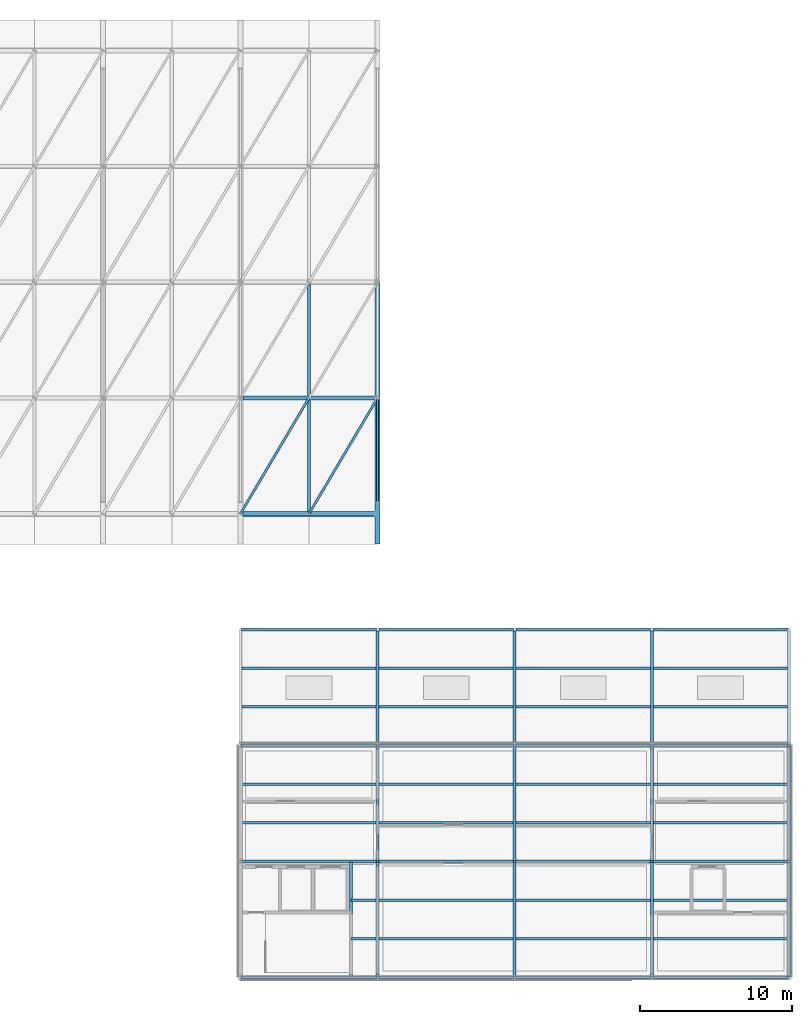
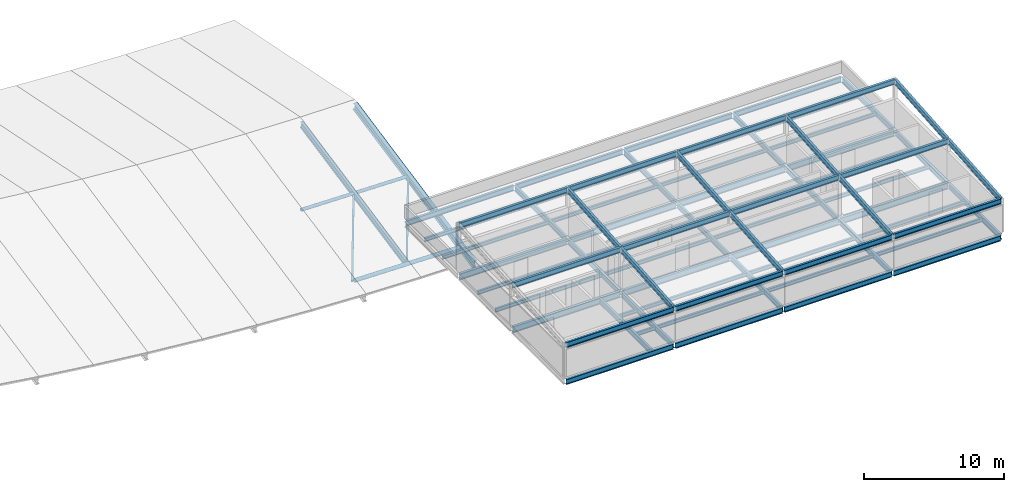
# One storey, part 12 of 21: 77 beams, 3 members.
"""IFC4 building model written with IfcOpenShell, lengths in metres."""

from ifc_helpers import new_model, si_unit, direction, frame, origin, origin_2d, place, context, subcontext, project, spatial, hollow_rectangle, hollow_circle, i_section, extrude, material, material_profile, profile_set, type_object, element, save


model = new_model("IFC4")

# Units and contexts
model_context = context("Model", 3, precision=1e-05, world=origin(), true_north=direction((0.0, 1.0)))
body_context = subcontext(model_context, "Body", "Model", "MODEL_VIEW")
ifc_project = project(units=[si_unit("LENGTHUNIT", "METRE"), si_unit("AREAUNIT", "SQUARE_METRE"), si_unit("VOLUMEUNIT", "CUBIC_METRE"), si_unit("PLANEANGLEUNIT", "RADIAN"), si_unit("MASSUNIT", "GRAM", prefix="KILO")], contexts=[model_context])

# Site, building, storey
site_placement = place(None, origin())
site = spatial("IfcSite", under=ifc_project, at=site_placement, CompositionType="ELEMENT")
building_placement = place(site_placement, origin())
building = spatial("IfcBuilding", under=site, at=building_placement, Name="Caisbarro Railhouse Central Library", CompositionType="ELEMENT")
storey_placement = place(building_placement, frame((0.0, 0.0, 26.639892578125)))
storey = spatial("IfcBuildingStorey", under=building, at=storey_placement, Name="RF", CompositionType="ELEMENT", Elevation=26.639892578125)

# Beams
ifc_material = material(Name="Steel ASTM A572 Grade 50", Category="steel")
ifc_material_profile_1 = material_profile(ifc_material, i_section(OverallWidth=0.324951171875, OverallDepth=0.615966796875, WebThickness=0.013916015625, FlangeThickness=0.021484375, FilletRadius=0.02197265625, at=origin_2d()), Name="W610X174.0")
ifc_profile_set_1 = profile_set([ifc_material_profile_1], Name="Steel ASTM A572 Grade 50")
beam_type_1 = type_object("IfcBeamType", Name="BM-G02", PredefinedType="BEAM", material=ifc_profile_set_1)
beam_1_placement = place(storey_placement, frame((72.0, 28.5, -10.697509765625), z_axis=(0.0, 0.979829500955, 0.199835304833), x_axis=(-1.0, 0.0, 0.0)))
element("IfcBeam", 1, at=beam_1_placement, inside=storey, type_object=beam_type_1, Name="V1 Gridshell South Rafter X=72", PredefinedType="BEAM", context=body_context, shape_type="SweptSolid", body=[
    extrude(i_section(OverallWidth=0.324951171875, OverallDepth=0.615966796875, WebThickness=0.013916015625, FlangeThickness=0.021484375, FilletRadius=0.02197265625, at=origin_2d()), origin(), (0.0, 0.0, 1.0), 17.4521484375),
])
ifc_material_profile_2 = material_profile(ifc_material, i_section(OverallWidth=0.2119140625, OverallDepth=0.5439453125, WebThickness=0.01318359375, FlangeThickness=0.021240234375, FilletRadius=0.02001953125, at=origin_2d()), Name="W530X123.0")
ifc_profile_set_2 = profile_set([ifc_material_profile_2], Name="Steel ASTM A572 Grade 50")
beam_type_2 = type_object("IfcBeamType", Name="BM-G05", PredefinedType="BEAM", material=ifc_profile_set_2)
for number, where, z_axis, x_axis, name in (
    (2, (63.080078125, 7.60009765625, -0.552001953125), (1.0, 0.0, 0.0), (0.0, 1.0, 0.0), "G05 beam RF #2438"),
    (3, (72.080078125, 7.60009765625, -0.552001953125), (1.0, 0.0, 0.0), (0.0, 1.0, 0.0), "G05 beam RF #2439"),
    (4, (81.080078125, 7.60009765625, -0.552001953125), (1.0, 0.0, 0.0), (0.0, 1.0, 0.0), "G05 beam RF #2440"),
    (5, (90.080078125, 7.60009765625, -0.552001953125), (1.0, 0.0, 0.0), (0.0, 1.0, 0.0), "G05 beam RF #2441"),
    (6, (63.080078125, 15.199951171875, -0.552001953125), (1.0, 0.0, 0.0), (0.0, 1.0, 0.0), "G05 beam RF #2442"),
    (7, (72.080078125, 15.199951171875, -0.552001953125), (1.0, 0.0, 0.0), (0.0, 1.0, 0.0), "G05 beam RF #2443"),
    (8, (81.080078125, 15.199951171875, -0.552001953125), (1.0, 0.0, 0.0), (0.0, 1.0, 0.0), "G05 beam RF #2444"),
    (9, (90.080078125, 15.199951171875, -0.552001953125), (1.0, 0.0, 0.0), (0.0, 1.0, 0.0), "G05 beam RF #2445"),
):
    element("IfcBeam", number, at=place(storey_placement, frame(where, z_axis=z_axis, x_axis=x_axis)), inside=storey, type_object=beam_type_2, Name=name, PredefinedType="BEAM", context=body_context, shape_type="SweptSolid", body=[
        extrude(i_section(OverallWidth=0.2119140625, OverallDepth=0.5439453125, WebThickness=0.01318359375, FlangeThickness=0.021240234375, FilletRadius=0.02001953125, at=origin_2d()), origin(), (0.0, 0.0, 1.0), 8.83984375),
    ])
ifc_material_profile_3 = material_profile(ifc_material, i_section(OverallWidth=0.208984375, OverallDepth=0.532958984375, WebThickness=0.01025390625, FlangeThickness=0.015625, FilletRadius=0.02001953125, at=origin_2d()), Name="W530X92.0")
ifc_profile_set_3 = profile_set([ifc_material_profile_3], Name="Steel ASTM A572 Grade 50")
beam_type_3 = type_object("IfcBeamType", Name="BM-G06", PredefinedType="BEAM", material=ifc_profile_set_3)
beam_2_placement = place(storey_placement, frame((67.5, 30.56494140625, -10.201171875), z_axis=(0.0, 0.979832431979, 0.19982093294), x_axis=(-1.0, 0.0, 0.0)))
element("IfcBeam", 10, at=beam_2_placement, inside=storey, type_object=beam_type_3, Name="V1 Gridshell Secondary Rafter South 8", PredefinedType="BEAM", context=body_context, shape_type="SweptSolid", body=[
    extrude(i_section(OverallWidth=0.208984375, OverallDepth=0.532958984375, WebThickness=0.01025390625, FlangeThickness=0.015625, FilletRadius=0.02001953125, at=origin_2d()), origin(), (0.0, 0.0, 1.0), 15.20166015625),
])
ifc_material_profile_4 = material_profile(ifc_material, i_section(OverallWidth=0.194091796875, OverallDepth=0.468994140625, WebThickness=0.0126953125, FlangeThickness=0.0205078125, FilletRadius=0.01806640625, at=origin_2d()), Name="W460X106.0")
ifc_profile_set_4 = profile_set([ifc_material_profile_4], Name="Steel ASTM A572 Grade 50")
beam_type_4 = type_object("IfcBeamType", Name="BM-G07", PredefinedType="BEAM", material=ifc_profile_set_4)
beam_3_placement = place(storey_placement, frame((72.0, 0.080078125, -0.514404296875), z_axis=(0.0, 1.0, 0.0), x_axis=(-1.0, 0.0, 0.0)))
element("IfcBeam", 11, at=beam_3_placement, inside=storey, type_object=beam_type_4, Name="G07 beam RF #2453", PredefinedType="BEAM", context=body_context, shape_type="SweptSolid", body=[
    extrude(i_section(OverallWidth=0.194091796875, OverallDepth=0.468994140625, WebThickness=0.0126953125, FlangeThickness=0.0205078125, FilletRadius=0.01806640625, at=origin_2d()), origin(), (0.0, 0.0, 1.0), 7.43994140625),
])
beam_4_placement = place(storey_placement, frame((72.0, 7.679931640625, -0.514404296875), z_axis=(0.0, 1.0, 0.0), x_axis=(-1.0, 0.0, 0.0)))
element("IfcBeam", 12, at=beam_4_placement, inside=storey, type_object=beam_type_4, Name="G07 beam RF #2454", PredefinedType="BEAM", context=body_context, shape_type="SweptSolid", body=[
    extrude(i_section(OverallWidth=0.194091796875, OverallDepth=0.468994140625, WebThickness=0.0126953125, FlangeThickness=0.0205078125, FilletRadius=0.01806640625, at=origin_2d()), origin(), (0.0, 0.0, 1.0), 7.440185546875),
])
for number, where, z_axis, x_axis, name in (
    (13, (72.0, 15.280029296875, -0.514404296875), (0.0, 1.0, 0.0), (-1.0, 0.0, 0.0), "G07 beam RF #2455"),
    (14, (81.0, 0.080078125, -0.514404296875), (0.0, 1.0, 0.0), (-1.0, 0.0, 0.0), "G07 beam RF #2456"),
):
    element("IfcBeam", number, at=place(storey_placement, frame(where, z_axis=z_axis, x_axis=x_axis)), inside=storey, type_object=beam_type_4, Name=name, PredefinedType="BEAM", context=body_context, shape_type="SweptSolid", body=[
        extrude(i_section(OverallWidth=0.194091796875, OverallDepth=0.468994140625, WebThickness=0.0126953125, FlangeThickness=0.0205078125, FilletRadius=0.01806640625, at=origin_2d()), origin(), (0.0, 0.0, 1.0), 7.43994140625),
    ])
beam_5_placement = place(storey_placement, frame((81.0, 7.679931640625, -0.514404296875), z_axis=(0.0, 1.0, 0.0), x_axis=(-1.0, 0.0, 0.0)))
element("IfcBeam", 15, at=beam_5_placement, inside=storey, type_object=beam_type_4, Name="G07 beam RF #2457", PredefinedType="BEAM", context=body_context, shape_type="SweptSolid", body=[
    extrude(i_section(OverallWidth=0.194091796875, OverallDepth=0.468994140625, WebThickness=0.0126953125, FlangeThickness=0.0205078125, FilletRadius=0.01806640625, at=origin_2d()), origin(), (0.0, 0.0, 1.0), 7.440185546875),
])
for number, where, z_axis, x_axis, name in (
    (16, (81.0, 15.280029296875, -0.514404296875), (0.0, 1.0, 0.0), (-1.0, 0.0, 0.0), "G07 beam RF #2458"),
    (17, (90.0, 0.080078125, -0.514404296875), (0.0, 1.0, 0.0), (-1.0, 0.0, 0.0), "G07 beam RF #2459"),
):
    element("IfcBeam", number, at=place(storey_placement, frame(where, z_axis=z_axis, x_axis=x_axis)), inside=storey, type_object=beam_type_4, Name=name, PredefinedType="BEAM", context=body_context, shape_type="SweptSolid", body=[
        extrude(i_section(OverallWidth=0.194091796875, OverallDepth=0.468994140625, WebThickness=0.0126953125, FlangeThickness=0.0205078125, FilletRadius=0.01806640625, at=origin_2d()), origin(), (0.0, 0.0, 1.0), 7.43994140625),
    ])
beam_6_placement = place(storey_placement, frame((90.0, 7.679931640625, -0.514404296875), z_axis=(0.0, 1.0, 0.0), x_axis=(-1.0, 0.0, 0.0)))
element("IfcBeam", 18, at=beam_6_placement, inside=storey, type_object=beam_type_4, Name="G07 beam RF #2460", PredefinedType="BEAM", context=body_context, shape_type="SweptSolid", body=[
    extrude(i_section(OverallWidth=0.194091796875, OverallDepth=0.468994140625, WebThickness=0.0126953125, FlangeThickness=0.0205078125, FilletRadius=0.01806640625, at=origin_2d()), origin(), (0.0, 0.0, 1.0), 7.440185546875),
])
for number, where, z_axis, x_axis, name in (
    (19, (90.0, 15.280029296875, -0.514404296875), (0.0, 1.0, 0.0), (-1.0, 0.0, 0.0), "G07 beam RF #2461"),
    (20, (99.0, 0.080078125, -0.514404296875), (0.0, 1.0, 0.0), (-1.0, 0.0, 0.0), "G07 beam RF #2462"),
):
    element("IfcBeam", number, at=place(storey_placement, frame(where, z_axis=z_axis, x_axis=x_axis)), inside=storey, type_object=beam_type_4, Name=name, PredefinedType="BEAM", context=body_context, shape_type="SweptSolid", body=[
        extrude(i_section(OverallWidth=0.194091796875, OverallDepth=0.468994140625, WebThickness=0.0126953125, FlangeThickness=0.0205078125, FilletRadius=0.01806640625, at=origin_2d()), origin(), (0.0, 0.0, 1.0), 7.43994140625),
    ])
beam_7_placement = place(storey_placement, frame((99.0, 7.679931640625, -0.514404296875), z_axis=(0.0, 1.0, 0.0), x_axis=(-1.0, 0.0, 0.0)))
element("IfcBeam", 21, at=beam_7_placement, inside=storey, type_object=beam_type_4, Name="G07 beam RF #2463", PredefinedType="BEAM", context=body_context, shape_type="SweptSolid", body=[
    extrude(i_section(OverallWidth=0.194091796875, OverallDepth=0.468994140625, WebThickness=0.0126953125, FlangeThickness=0.0205078125, FilletRadius=0.01806640625, at=origin_2d()), origin(), (0.0, 0.0, 1.0), 7.440185546875),
])
beam_8_placement = place(storey_placement, frame((99.0, 15.280029296875, -0.514404296875), z_axis=(0.0, 1.0, 0.0), x_axis=(-1.0, 0.0, 0.0)))
element("IfcBeam", 22, at=beam_8_placement, inside=storey, type_object=beam_type_4, Name="G07 beam RF #2464", PredefinedType="BEAM", context=body_context, shape_type="SweptSolid", body=[
    extrude(i_section(OverallWidth=0.194091796875, OverallDepth=0.468994140625, WebThickness=0.0126953125, FlangeThickness=0.0205078125, FilletRadius=0.01806640625, at=origin_2d()), origin(), (0.0, 0.0, 1.0), 7.43994140625),
])
beam_9_placement = place(storey_placement, frame((70.25, 0.050048828125, -0.514404296875), z_axis=(0.0, 1.0, 0.0), x_axis=(-1.0, 0.0, 0.0)))
element("IfcBeam", 23, at=beam_9_placement, inside=storey, type_object=beam_type_4, Name="G07 RF stairwell trimmer beam", PredefinedType="BEAM", context=body_context, shape_type="SweptSolid", body=[
    extrude(i_section(OverallWidth=0.194091796875, OverallDepth=0.468994140625, WebThickness=0.0126953125, FlangeThickness=0.0205078125, FilletRadius=0.01806640625, at=origin_2d()), origin(), (0.0, 0.0, 1.0), 7.5),
])
for number, where, z_axis, x_axis, name in (
    (24, (72.0, 0.050048828125, 2.70556640625), (0.0, 0.996814246708, 0.079758119089), (-1.0, 0.0, 0.0), "G07 headhouse sloped roof rafter X=72.1"),
    (25, (72.0, 7.64990234375, 3.3056640625), (0.0, 0.99681682597, 0.079725876999), (-1.0, 0.0, 0.0), "G07 headhouse sloped roof rafter X=72.2"),
    (26, (81.0, 0.050048828125, 2.70556640625), (0.0, 0.996814246708, 0.079758119089), (-1.0, 0.0, 0.0), "G07 headhouse sloped roof rafter X=81.1"),
    (27, (81.0, 7.64990234375, 3.3056640625), (0.0, 0.99681682597, 0.079725876999), (-1.0, 0.0, 0.0), "G07 headhouse sloped roof rafter X=81.2"),
    (28, (90.0, 0.050048828125, 2.70556640625), (0.0, 0.996814246708, 0.079758119089), (-1.0, 0.0, 0.0), "G07 headhouse sloped roof rafter X=90.1"),
    (29, (90.0, 7.64990234375, 3.3056640625), (0.0, 0.99681682597, 0.079725876999), (-1.0, 0.0, 0.0), "G07 headhouse sloped roof rafter X=90.2"),
    (30, (99.0, 0.050048828125, 2.70556640625), (0.0, 0.996814246708, 0.079758119089), (-1.0, 0.0, 0.0), "G07 headhouse sloped roof rafter X=99.1"),
    (31, (99.0, 7.64990234375, 3.3056640625), (0.0, 0.99681682597, 0.079725876999), (-1.0, 0.0, 0.0), "G07 headhouse sloped roof rafter X=99.2"),
):
    element("IfcBeam", number, at=place(storey_placement, frame(where, z_axis=z_axis, x_axis=x_axis)), inside=storey, type_object=beam_type_4, Name=name, PredefinedType="BEAM", context=body_context, shape_type="SweptSolid", body=[
        extrude(i_section(OverallWidth=0.194091796875, OverallDepth=0.468994140625, WebThickness=0.0126953125, FlangeThickness=0.0205078125, FilletRadius=0.01806640625, at=origin_2d()), origin(), (0.0, 0.0, 1.0), 7.52392578125),
    ])
ifc_material_profile_5 = material_profile(ifc_material, i_section(OverallWidth=0.1669921875, OverallDepth=0.31689453125, WebThickness=0.007568359375, FlangeThickness=0.01318359375, FilletRadius=0.011962890625, at=origin_2d()), Name="W310X52.0")
ifc_profile_set_5 = profile_set([ifc_material_profile_5], Name="Steel ASTM A572 Grade 50")
beam_type_5 = type_object("IfcBeamType", Name="BM-J02", PredefinedType="JOIST", material=ifc_profile_set_5)
for number, where, z_axis, x_axis, name in (
    (32, (70.25, 2.533203125, -0.4384765625), (1.0, 0.0, 0.0), (0.0, 1.0, 0.0), "J02 beam RF #2465"),
    (33, (70.25, 5.066650390625, -0.4384765625), (1.0, 0.0, 0.0), (0.0, 1.0, 0.0), "J02 beam RF #2466"),
):
    element("IfcBeam", number, at=place(storey_placement, frame(where, z_axis=z_axis, x_axis=x_axis)), inside=storey, type_object=beam_type_5, Name=name, PredefinedType="JOIST", context=body_context, shape_type="SweptSolid", body=[
        extrude(i_section(OverallWidth=0.1669921875, OverallDepth=0.31689453125, WebThickness=0.007568359375, FlangeThickness=0.01318359375, FilletRadius=0.011962890625, at=origin_2d()), origin(), (0.0, 0.0, 1.0), 1.653076171875),
    ])
for number, where, z_axis, x_axis, name in (
    (34, (63.096923828125, 10.13330078125, -0.4384765625), (1.0, 0.0, 0.0), (0.0, 1.0, 0.0), "J02 beam RF #2467"),
    (35, (63.096923828125, 12.666748046875, -0.4384765625), (1.0, 0.0, 0.0), (0.0, 1.0, 0.0), "J02 beam RF #2468"),
    (36, (63.096923828125, 17.7333984375, -0.4384765625), (1.0, 0.0, 0.0), (0.0, 1.0, 0.0), "J02 beam RF #2469"),
    (37, (63.096923828125, 20.2666015625, -0.4384765625), (1.0, 0.0, 0.0), (0.0, 1.0, 0.0), "J02 beam RF #2470"),
    (38, (72.096923828125, 2.533203125, -0.4384765625), (1.0, 0.0, 0.0), (0.0, 1.0, 0.0), "J02 beam RF #2471"),
    (39, (72.096923828125, 5.066650390625, -0.4384765625), (1.0, 0.0, 0.0), (0.0, 1.0, 0.0), "J02 beam RF #2472"),
    (40, (72.096923828125, 10.13330078125, -0.4384765625), (1.0, 0.0, 0.0), (0.0, 1.0, 0.0), "J02 beam RF #2473"),
    (41, (72.096923828125, 12.666748046875, -0.4384765625), (1.0, 0.0, 0.0), (0.0, 1.0, 0.0), "J02 beam RF #2474"),
    (42, (72.096923828125, 17.7333984375, -0.4384765625), (1.0, 0.0, 0.0), (0.0, 1.0, 0.0), "J02 beam RF #2475"),
    (43, (72.096923828125, 20.2666015625, -0.4384765625), (1.0, 0.0, 0.0), (0.0, 1.0, 0.0), "J02 beam RF #2476"),
    (44, (81.096923828125, 2.533203125, -0.4384765625), (1.0, 0.0, 0.0), (0.0, 1.0, 0.0), "J02 beam RF #2477"),
    (45, (81.096923828125, 5.066650390625, -0.4384765625), (1.0, 0.0, 0.0), (0.0, 1.0, 0.0), "J02 beam RF #2478"),
    (46, (81.096923828125, 10.13330078125, -0.4384765625), (1.0, 0.0, 0.0), (0.0, 1.0, 0.0), "J02 beam RF #2479"),
    (47, (81.096923828125, 12.666748046875, -0.4384765625), (1.0, 0.0, 0.0), (0.0, 1.0, 0.0), "J02 beam RF #2480"),
    (48, (81.096923828125, 17.7333984375, -0.4384765625), (1.0, 0.0, 0.0), (0.0, 1.0, 0.0), "J02 beam RF #2481"),
    (49, (81.096923828125, 20.2666015625, -0.4384765625), (1.0, 0.0, 0.0), (0.0, 1.0, 0.0), "J02 beam RF #2482"),
    (50, (90.096923828125, 2.533203125, -0.4384765625), (1.0, 0.0, 0.0), (0.0, 1.0, 0.0), "J02 beam RF #2483"),
    (51, (90.096923828125, 5.066650390625, -0.4384765625), (1.0, 0.0, 0.0), (0.0, 1.0, 0.0), "J02 beam RF #2484"),
    (52, (90.096923828125, 10.13330078125, -0.4384765625), (1.0, 0.0, 0.0), (0.0, 1.0, 0.0), "J02 beam RF #2485"),
    (53, (90.096923828125, 12.666748046875, -0.4384765625), (1.0, 0.0, 0.0), (0.0, 1.0, 0.0), "J02 beam RF #2486"),
    (54, (90.096923828125, 17.7333984375, -0.4384765625), (1.0, 0.0, 0.0), (0.0, 1.0, 0.0), "J02 beam RF #2487"),
    (55, (90.096923828125, 20.2666015625, -0.4384765625), (1.0, 0.0, 0.0), (0.0, 1.0, 0.0), "J02 beam RF #2488"),
):
    element("IfcBeam", number, at=place(storey_placement, frame(where, z_axis=z_axis, x_axis=x_axis)), inside=storey, type_object=beam_type_5, Name=name, PredefinedType="JOIST", context=body_context, shape_type="SweptSolid", body=[
        extrude(i_section(OverallWidth=0.1669921875, OverallDepth=0.31689453125, WebThickness=0.007568359375, FlangeThickness=0.01318359375, FilletRadius=0.011962890625, at=origin_2d()), origin(), (0.0, 0.0, 1.0), 8.80615234375),
    ])
ifc_material_profile_6 = material_profile(ifc_material, hollow_circle(Radius=0.161865234375, WallThickness=0.01611328125, at=origin_2d()), Name="CHS323.9X16.0")
ifc_profile_set_6 = profile_set([ifc_material_profile_6], Name="Steel ASTM A572 Grade 50")
beam_type_6 = type_object("IfcBeamType", Name="BM-RB01", PredefinedType="BEAM", material=ifc_profile_set_6)
beam_10_placement = place(storey_placement, frame((63.1650390625, 30.39990234375, -10.16259765625), z_axis=(0.999861077482, 0.0, -0.016668105369), x_axis=(0.0, 1.0, 0.0)))
element("IfcBeam", 56, at=beam_10_placement, inside=storey, type_object=beam_type_6, Name="V1 Gridshell Longitudinal Chord S08", PredefinedType="BEAM", context=body_context, shape_type="SweptSolid", body=[
    extrude(hollow_circle(Radius=0.161865234375, WallThickness=0.01611328125, at=origin_2d()), origin(), (0.0, 0.0, 1.0), 8.671142578125),
])
ifc_material_profile_7 = material_profile(ifc_material, hollow_circle(Radius=0.136474609375, WallThickness=0.012451171875, at=origin_2d()), Name="CHS273.0X12.5")
ifc_profile_set_7 = profile_set([ifc_material_profile_7], Name="Steel ASTM A572 Grade 50")
beam_type_7 = type_object("IfcBeamType", Name="BM-RB02", PredefinedType="BEAM", material=ifc_profile_set_7)
beam_11_placement = place(storey_placement, frame((63.1650390625, 38.0, -8.612548828125), z_axis=(0.999861077482, 0.0, -0.016668105369), x_axis=(0.0, 1.0, 0.0)))
element("IfcBeam", 57, at=beam_11_placement, inside=storey, type_object=beam_type_7, Name="V1 Gridshell Longitudinal Chord Q108", PredefinedType="BEAM", context=body_context, shape_type="SweptSolid", body=[
    extrude(hollow_circle(Radius=0.136474609375, WallThickness=0.012451171875, at=origin_2d()), origin(), (0.0, 0.0, 1.0), 8.671142578125),
])
ifc_material_profile_8 = material_profile(ifc_material, i_section(OverallWidth=0.18994140625, OverallDepth=0.45703125, WebThickness=0.009033203125, FlangeThickness=0.014404296875, FilletRadius=0.01806640625, at=origin_2d()), Name="W460X74.0")
ifc_profile_set_8 = profile_set([ifc_material_profile_8], Name="Steel ASTM A572 Grade 50")
beam_type_8 = type_object("IfcBeamType", Name="BM-SP01", PredefinedType="SPANDREL", material=ifc_profile_set_8)
for number, where, z_axis, x_axis, name in (
    (58, (63.080078125, 0.0, -0.50830078125), (1.0, 0.0, 0.0), (0.0, 1.0, 0.0), "SP01 beam RF #2434"),
    (59, (72.080078125, 0.0, -0.50830078125), (1.0, 0.0, 0.0), (0.0, 1.0, 0.0), "SP01 beam RF #2435"),
    (60, (81.080078125, 0.0, -0.50830078125), (1.0, 0.0, 0.0), (0.0, 1.0, 0.0), "SP01 beam RF #2436"),
    (61, (90.080078125, 0.0, -0.50830078125), (1.0, 0.0, 0.0), (0.0, 1.0, 0.0), "SP01 beam RF #2437"),
    (62, (63.080078125, 22.800048828125, -0.50830078125), (1.0, 0.0, 0.0), (0.0, 1.0, 0.0), "SP01 beam RF #2446"),
    (63, (72.080078125, 22.800048828125, -0.50830078125), (1.0, 0.0, 0.0), (0.0, 1.0, 0.0), "SP01 beam RF #2447"),
    (64, (81.080078125, 22.800048828125, -0.50830078125), (1.0, 0.0, 0.0), (0.0, 1.0, 0.0), "SP01 beam RF #2448"),
    (65, (90.080078125, 22.800048828125, -0.50830078125), (1.0, 0.0, 0.0), (0.0, 1.0, 0.0), "SP01 beam RF #2449"),
):
    element("IfcBeam", number, at=place(storey_placement, frame(where, z_axis=z_axis, x_axis=x_axis)), inside=storey, type_object=beam_type_8, Name=name, PredefinedType="SPANDREL", context=body_context, shape_type="SweptSolid", body=[
        extrude(i_section(OverallWidth=0.18994140625, OverallDepth=0.45703125, WebThickness=0.009033203125, FlangeThickness=0.014404296875, FilletRadius=0.01806640625, at=origin_2d()), origin(), (0.0, 0.0, 1.0), 8.83984375),
    ])
for number, where, z_axis, x_axis, name in (
    (66, (63.050048828125, 0.0, 2.711669921875), (1.0, 0.0, 0.0), (0.0, 1.0, 0.0), "SP01 headhouse roof beam Y=0.1"),
    (67, (72.050048828125, 0.0, 2.711669921875), (1.0, 0.0, 0.0), (0.0, 1.0, 0.0), "SP01 headhouse roof beam Y=0.2"),
    (68, (81.050048828125, 0.0, 2.711669921875), (1.0, 0.0, 0.0), (0.0, 1.0, 0.0), "SP01 headhouse roof beam Y=0.3"),
    (69, (90.050048828125, 0.0, 2.711669921875), (1.0, 0.0, 0.0), (0.0, 1.0, 0.0), "SP01 headhouse roof beam Y=0.4"),
    (70, (63.050048828125, 7.60009765625, 3.3115234375), (1.0, 0.0, 0.0), (0.0, 1.0, 0.0), "SP01 headhouse roof beam Y=7.6.1"),
    (71, (72.050048828125, 7.60009765625, 3.3115234375), (1.0, 0.0, 0.0), (0.0, 1.0, 0.0), "SP01 headhouse roof beam Y=7.6.2"),
    (72, (81.050048828125, 7.60009765625, 3.3115234375), (1.0, 0.0, 0.0), (0.0, 1.0, 0.0), "SP01 headhouse roof beam Y=7.6.3"),
    (73, (90.050048828125, 7.60009765625, 3.3115234375), (1.0, 0.0, 0.0), (0.0, 1.0, 0.0), "SP01 headhouse roof beam Y=7.6.4"),
    (74, (63.050048828125, 15.199951171875, 3.91162109375), (1.0, 0.0, 0.0), (0.0, 1.0, 0.0), "SP01 headhouse roof beam Y=15.2.1"),
    (75, (72.050048828125, 15.199951171875, 3.91162109375), (1.0, 0.0, 0.0), (0.0, 1.0, 0.0), "SP01 headhouse roof beam Y=15.2.2"),
    (76, (81.050048828125, 15.199951171875, 3.91162109375), (1.0, 0.0, 0.0), (0.0, 1.0, 0.0), "SP01 headhouse roof beam Y=15.2.3"),
    (77, (90.050048828125, 15.199951171875, 3.91162109375), (1.0, 0.0, 0.0), (0.0, 1.0, 0.0), "SP01 headhouse roof beam Y=15.2.4"),
):
    element("IfcBeam", number, at=place(storey_placement, frame(where, z_axis=z_axis, x_axis=x_axis)), inside=storey, type_object=beam_type_8, Name=name, PredefinedType="SPANDREL", context=body_context, shape_type="SweptSolid", body=[
        extrude(i_section(OverallWidth=0.18994140625, OverallDepth=0.45703125, WebThickness=0.009033203125, FlangeThickness=0.014404296875, FilletRadius=0.01806640625, at=origin_2d()), origin(), (0.0, 0.0, 1.0), 8.89990234375),
    ])

# Members
ifc_material_profile_9 = material_profile(ifc_material, hollow_rectangle(XDim=0.14990234375, YDim=0.14990234375, WallThickness=0.010009765625, at=origin_2d()), Name="HSS150X150X10")
ifc_profile_set_9 = profile_set([ifc_material_profile_9], Name="Steel ASTM A572 Grade 50")
member_type_1 = type_object("IfcMemberType", Name="MEM-GS01", PredefinedType="STRUT", material=ifc_profile_set_9)
member_1_placement = place(storey_placement, frame((63.0, 30.39990234375, -10.159912109375), z_axis=(0.502870548833, 0.849303395463, 0.160639203099), x_axis=(-0.860478259115, 0.509487159397, 0.0)))
element("IfcMember", 78, at=member_1_placement, inside=storey, type_object=member_type_1, Name="V1 Gridshell Diagonal Strut 57", PredefinedType="STRUT", context=body_context, shape_type="SweptSolid", body=[
    extrude(hollow_rectangle(XDim=0.14990234375, YDim=0.14990234375, WallThickness=0.010009765625, at=origin_2d()), origin(), (0.0, 0.0, 1.0), 8.94873046875),
])
member_2_placement = place(storey_placement, frame((67.5, 30.39990234375, -10.2724609375), z_axis=(0.502177747639, 0.848133316189, 0.168782071757), x_axis=(-0.860478259115, 0.509487159397, 0.0)))
element("IfcMember", 79, at=member_2_placement, inside=storey, type_object=member_type_1, Name="V1 Gridshell Diagonal Strut 61", PredefinedType="STRUT", context=body_context, shape_type="SweptSolid", body=[
    extrude(hollow_rectangle(XDim=0.14990234375, YDim=0.14990234375, WallThickness=0.010009765625, at=origin_2d()), origin(), (0.0, 0.0, 1.0), 8.9609375),
])
ifc_material_profile_10 = material_profile(ifc_material, hollow_rectangle(XDim=0.1201171875, YDim=0.1201171875, WallThickness=0.008056640625, at=origin_2d()), Name="HSS120X120X8")
ifc_profile_set_10 = profile_set([ifc_material_profile_10], Name="Steel ASTM A572 Grade 50")
member_type_2 = type_object("IfcMemberType", Name="MEM-GS02", PredefinedType="STRUT", material=ifc_profile_set_10)
member_3_placement = place(storey_placement, frame((72.0, 31.199951171875, -10.60791015625), z_axis=(0.0, 0.974526058673, 0.224274298499), x_axis=(-1.0, 0.0, 0.0)))
element("IfcMember", 80, at=member_3_placement, inside=storey, type_object=member_type_2, Name="V1 Gridshell Truss Web DS1 9", PredefinedType="STRUT", context=body_context, shape_type="SweptSolid", body=[
    extrude(hollow_rectangle(XDim=0.1201171875, YDim=0.1201171875, WallThickness=0.008056640625, at=origin_2d()), origin(), (0.0, 0.0, 1.0), 6.977783203125),
])

save(model, "model.ifc")
